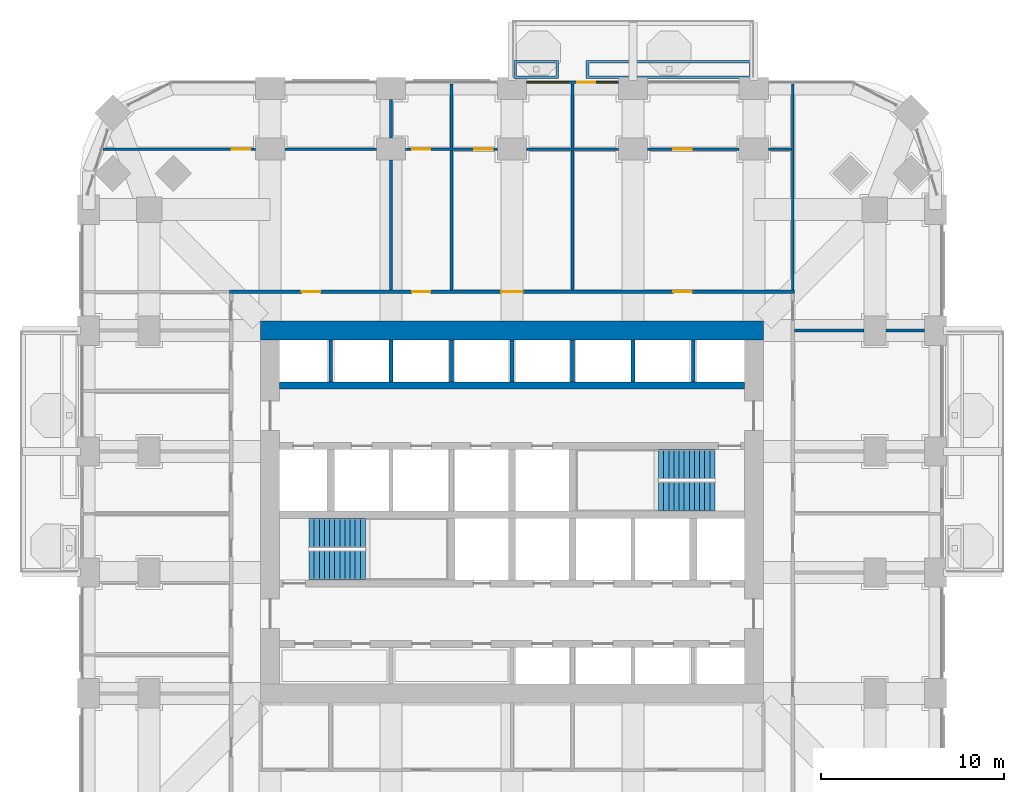
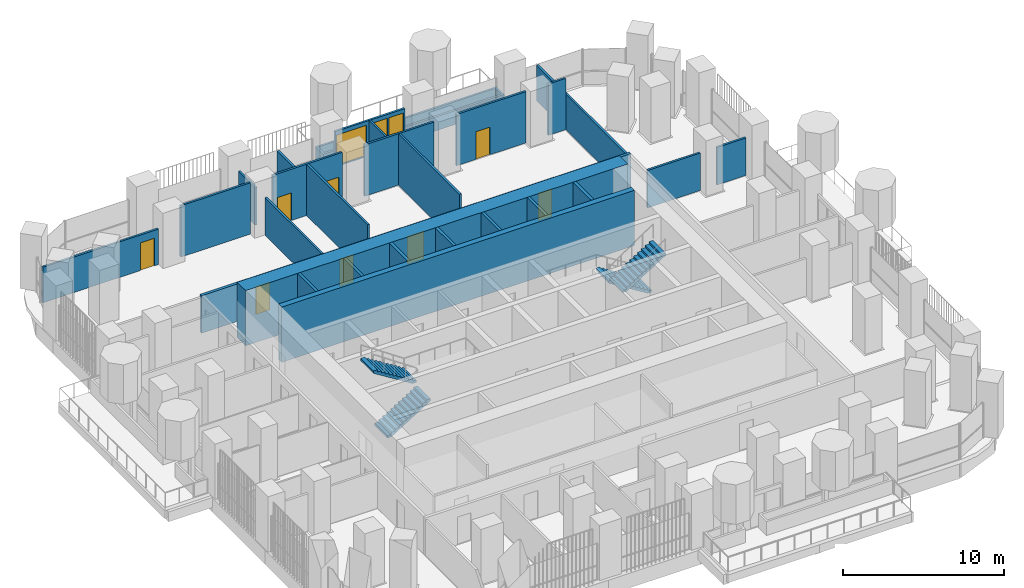
# One storey, part 16 of 21: 28 walls, 9 doors, 4 stair flights, 2 windows, 11 openings, 2 elements without a shape of their own.
"""IFC4 building model written with IfcOpenShell, lengths in metres."""

from ifc_helpers import new_model, si_unit, direction, frame, frame_2d, origin, place, context, subcontext, project, spatial, polyline, rectangle, outline, extrude, material, layer, layer_set, type_object, element, fill, aggregate, save


model = new_model("IFC4")

# Units and contexts
model_context = context("Model", 3, precision=1e-05, world=origin(), true_north=direction((0.0, 1.0)))
body_context = subcontext(model_context, "Body", "Model", "MODEL_VIEW")
ifc_project = project(units=[si_unit("LENGTHUNIT", "METRE"), si_unit("AREAUNIT", "SQUARE_METRE"), si_unit("VOLUMEUNIT", "CUBIC_METRE"), si_unit("PLANEANGLEUNIT", "RADIAN"), si_unit("MASSUNIT", "GRAM", prefix="KILO")], contexts=[model_context])

# Site, building, storey
site_placement = place(None, origin())
site = spatial("IfcSite", under=ifc_project, at=site_placement, CompositionType="ELEMENT")
building_placement = place(site_placement, origin())
building = spatial("IfcBuilding", under=site, at=building_placement, Name="Cobogo Forest Laboratory Tower", CompositionType="ELEMENT")
storey_placement = place(building_placement, frame((0.0, 0.0, 86.39990234375)))
storey = spatial("IfcBuildingStorey", under=building, at=storey_placement, Name="L19", CompositionType="ELEMENT", Elevation=86.39990234375)

# Walls
ifc_material_1 = material(Name="Concrete HA-50 (C50/60)", Category="concrete")
ifc_layer_1 = layer(ifc_material_1, 0.39990234375)
ifc_layer_set_1 = layer_set([ifc_layer_1], Name="CI400 core inner wall 400")
wall_type_1 = type_object("IfcWallType", Name="CI400 core inner wall 400", PredefinedType="SHEAR", material=ifc_layer_set_1)
wall_1_placement = place(storey_placement, frame((13.72509765625, 30.0, 0.0), z_axis=(0.0, 0.0, 1.0), x_axis=(1.0, 0.0, 0.0)))
element("IfcWall", 1, at=wall_1_placement, inside=storey, type_object=wall_type_1, Name="Core wall CI-30.0 L19", PredefinedType="SHEAR", context=body_context, shape_type="SweptSolid", body=[
    extrude(rectangle(XDim=25.349853515625, YDim=0.39990234375, at=frame_2d((12.6748046875, 0.0))), origin(), (0.0, 0.0, 1.0), 4.2001953125),
])
ifc_layer_2 = layer(ifc_material_1, 1.050048828125)
ifc_layer_set_2 = layer_set([ifc_layer_2], Name="CW1050 core outer wall 1050")
wall_type_2 = type_object("IfcWallType", Name="CW1050 core outer wall 1050", PredefinedType="SHEAR", material=ifc_layer_set_2)
wall_2_placement = place(storey_placement, frame((40.125, 33.0, 0.0), z_axis=(0.0, 0.0, 1.0), x_axis=(-1.0, 0.0, 0.0)))
element("IfcWall", 2, at=wall_2_placement, inside=storey, type_object=wall_type_2, Name="Core wall CO-N L19", PredefinedType="SHEAR", context=body_context, shape_type="SweptSolid", body=[
    extrude(rectangle(XDim=27.449951171875, YDim=1.050048828125, at=frame_2d((13.72509765625, 0.0))), origin(), (0.0, 0.0, 1.0), 4.2001953125),
])

# Wall, openings, door, windows
ifc_material_2 = material(Name="Aluminium framed glazed screen", Category="aluminium")
ifc_layer_3 = layer(ifc_material_2, 0.14990234375)
ifc_layer_set_3 = layer_set([ifc_layer_3], Name="GS1 glazed door screen 150")
wall_type_3 = type_object("IfcWallType", Name="GS1 glazed door screen 150", PredefinedType="SOLIDWALL", material=ifc_layer_set_3)
wall_3_placement = place(storey_placement, frame((32.199951171875, 46.550048828125, 0.0), z_axis=(0.0, 0.0, 1.0), x_axis=(-1.0, 0.0, 0.0)))
wall_3 = element("IfcWall", 3, at=wall_3_placement, inside=storey, type_object=wall_type_3, Name="Door screen BAL-N1 L19", PredefinedType="SOLIDWALL", context=body_context, shape_type="SweptSolid", body=[
    extrude(rectangle(XDim=5.0, YDim=0.14990234375, at=frame_2d((2.5, 0.0))), origin(), (0.0, 0.0, 1.0), 2.7001953125),
])
opening_1_placement = place(wall_3_placement, frame((1.25, 0.0, 0.0)))
opening_1 = element("IfcOpeningElement", 4, at=opening_1_placement, cuts=wall_3, Name="Opening L19-D46", PredefinedType="OPENING", context=body_context, shape_type="SweptSolid", body=[
    extrude(rectangle(XDim=1.0, YDim=2.39990234375, at=frame_2d((0.5, 1.199951171875))), frame((0.0, 0.0849609375, 0.0), z_axis=(0.0, -1.0, 0.0), x_axis=(1.0, 0.0, 0.0)), (0.0, 0.0, 1.0), 0.169921875),
])
opening_2_placement = place(wall_3_placement, frame((0.10009765625, 0.0, 0.10009765625)))
opening_2 = element("IfcOpeningElement", 5, at=opening_2_placement, cuts=wall_3, Name="Opening L19-W08", PredefinedType="OPENING", context=body_context, shape_type="SweptSolid", body=[
    extrude(rectangle(XDim=1.050048828125, YDim=2.300048828125, at=frame_2d((0.52490234375, 1.14990234375))), frame((0.0, 0.0849609375, 0.0), z_axis=(0.0, -1.0, 0.0), x_axis=(1.0, 0.0, 0.0)), (0.0, 0.0, 1.0), 0.169921875),
])
opening_3_placement = place(wall_3_placement, frame((2.75, 0.0, 0.10009765625)))
opening_3 = element("IfcOpeningElement", 6, at=opening_3_placement, cuts=wall_3, Name="Opening L19-W07", PredefinedType="OPENING", context=body_context, shape_type="SweptSolid", body=[
    extrude(rectangle(XDim=2.14990234375, YDim=2.300048828125, at=frame_2d((1.074951171875, 1.14990234375))), frame((0.0, 0.0849609375, 0.0), z_axis=(0.0, -1.0, 0.0), x_axis=(1.0, 0.0, 0.0)), (0.0, 0.0, 1.0), 0.169921875),
])
ifc_material_3 = material(Name="Aluminium glazed door", Category="aluminium")
door_type_1 = type_object("IfcDoorType", Name="DB1 balcony door 1000 glazed", OperationType="SINGLE_SWING_LEFT", PredefinedType="DOOR", material=ifc_material_3)
door_1_placement = place(opening_1_placement, origin())
door_1 = element("IfcDoor", 7, at=door_1_placement, inside=storey, type_object=door_type_1, Name="Door L19-BAL-N1", OperationType="SINGLE_SWING_LEFT", OverallHeight=2.39990234375, OverallWidth=1.0, PredefinedType="DOOR", context=body_context, shape_type="SweptSolid", body=[
    extrude(rectangle(XDim=1.0, YDim=2.39990234375, at=frame_2d((0.5, 1.199951171875))), frame((0.0, 0.02490234375, 0.0), z_axis=(0.0, -1.0, 0.0), x_axis=(1.0, 0.0, 0.0)), (0.0, 0.0, 1.0), 0.050048828125),
])
fill(opening_1, door_1)
ifc_material_4 = material(Name="Aluminium framed glazing", Category="aluminium")
window_type_1 = type_object("IfcWindowType", Name="WG13 fixed glazed light 2150x2300", PartitioningType="SINGLE_PANEL", PredefinedType="WINDOW", material=ifc_material_4)
window_1_placement = place(opening_3_placement, origin())
window_1 = element("IfcWindow", 8, at=window_1_placement, inside=storey, type_object=window_type_1, Name="Window L19-BAL-N1-2", OverallHeight=2.300048828125, OverallWidth=2.14990234375, PartitioningType="SINGLE_PANEL", PredefinedType="WINDOW", context=body_context, shape_type="SweptSolid", body=[
    extrude(rectangle(XDim=2.14990234375, YDim=2.300048828125, at=frame_2d((1.074951171875, 1.14990234375))), frame((0.0, 0.030029296875, 0.0), z_axis=(0.0, -1.0, 0.0), x_axis=(1.0, 0.0, 0.0)), (0.0, 0.0, 1.0), 0.06005859375),
])
fill(opening_3, window_1)
window_type_2 = type_object("IfcWindowType", Name="WG14 fixed glazed light 1050x2300", PartitioningType="SINGLE_PANEL", PredefinedType="WINDOW", material=ifc_material_4)
window_2_placement = place(opening_2_placement, origin())
window_2 = element("IfcWindow", 9, at=window_2_placement, inside=storey, type_object=window_type_2, Name="Window L19-BAL-N1-1", OverallHeight=2.300048828125, OverallWidth=1.050048828125, PartitioningType="SINGLE_PANEL", PredefinedType="WINDOW", context=body_context, shape_type="SweptSolid", body=[
    extrude(rectangle(XDim=1.050048828125, YDim=2.300048828125, at=frame_2d((0.52490234375, 1.14990234375))), frame((0.0, 0.030029296875, 0.0), z_axis=(0.0, -1.0, 0.0), x_axis=(1.0, 0.0, 0.0)), (0.0, 0.0, 1.0), 0.06005859375),
])
fill(opening_2, window_2)

# Walls
ifc_material_5 = material(Name="Gypsum board on steel studs", Category="steel")
ifc_layer_4 = layer(ifc_material_5, 0.14990234375)
ifc_layer_set_4 = layer_set([ifc_layer_4], Name="PT1 laboratory partition 150")
wall_type_4 = type_object("IfcWallType", Name="PT1 laboratory partition 150", PredefinedType="PARTITIONING", material=ifc_layer_set_4)
wall_4_placement = place(storey_placement, frame((41.72509765625, 46.469970703125, 0.0), z_axis=(0.0, 0.0, 1.0), x_axis=(0.0, -1.0, 0.0)))
element("IfcWall", 10, at=wall_4_placement, inside=storey, type_object=wall_type_4, Name="Partition PW-NE L19", PredefinedType="PARTITIONING", context=body_context, shape_type="SweptSolid", body=[
    extrude(rectangle(XDim=11.244873046875, YDim=0.14990234375, at=frame_2d((5.62255859375, 0.0))), origin(), (0.0, 0.0, 1.0), 2.7001953125),
])
wall_5_placement = place(storey_placement, frame((48.89990234375, 33.0, 0.0), z_axis=(0.0, 0.0, 1.0), x_axis=(-1.0, 0.0, 0.0)))
element("IfcWall", 11, at=wall_5_placement, inside=storey, type_object=wall_type_4, Name="Partition CUT-E33-1 L19", PredefinedType="PARTITIONING", context=body_context, shape_type="SweptSolid", body=[
    extrude(rectangle(XDim=2.099853515625, YDim=0.14990234375, at=frame_2d((1.0498046875, 0.0))), origin(), (0.0, 0.0, 1.0), 2.85009765625),
])
wall_6_placement = place(storey_placement, frame((45.60009765625, 33.0, 0.0), z_axis=(0.0, 0.0, 1.0), x_axis=(-1.0, 0.0, 0.0)))
element("IfcWall", 12, at=wall_6_placement, inside=storey, type_object=wall_type_4, Name="Partition CUT-E33-2 L19", PredefinedType="PARTITIONING", context=body_context, shape_type="SweptSolid", body=[
    extrude(rectangle(XDim=3.775146484375, YDim=0.14990234375, at=frame_2d((1.8876953125, 0.0))), origin(), (0.0, 0.0, 1.0), 2.85009765625),
])
wall_7_placement = place(storey_placement, frame((41.64990234375, 42.89990234375, 0.0), z_axis=(0.0, 0.0, 1.0), x_axis=(-1.0, 0.0, 0.0)))
element("IfcWall", 13, at=wall_7_placement, inside=storey, type_object=wall_type_4, Name="Partition STRIP-N-1 L19", PredefinedType="PARTITIONING", context=body_context, shape_type="SweptSolid", body=[
    extrude(rectangle(XDim=1.25, YDim=0.14990234375, at=frame_2d((0.625, 0.0))), origin(), (0.0, 0.0, 1.0), 3.900146484375),
])

# Wall, opening, door
wall_8_placement = place(storey_placement, frame((38.800048828125, 42.89990234375, 0.0), z_axis=(0.0, 0.0, 1.0), x_axis=(-1.0, 0.0, 0.0)))
wall_8 = element("IfcWall", 14, at=wall_8_placement, inside=storey, type_object=wall_type_4, Name="Partition STRIP-N-2 L19", PredefinedType="PARTITIONING", context=body_context, shape_type="SweptSolid", body=[
    extrude(rectangle(XDim=5.0, YDim=0.14990234375, at=frame_2d((2.5, 0.0))), origin(), (0.0, 0.0, 1.0), 3.900146484375),
])
opening_4_placement = place(wall_8_placement, frame((2.58740234375, 0.0, 0.0)))
opening_4 = element("IfcOpeningElement", 15, at=opening_4_placement, cuts=wall_8, Name="Opening L19-D45", PredefinedType="OPENING", context=body_context, shape_type="SweptSolid", body=[
    extrude(rectangle(XDim=1.0, YDim=2.10009765625, at=frame_2d((0.5, 1.050048828125))), frame((0.0, 0.0849609375, 0.0), z_axis=(0.0, -1.0, 0.0), x_axis=(1.0, 0.0, 0.0)), (0.0, 0.0, 1.0), 0.169921875),
])
ifc_material_6 = material(Name="Timber fire door", Category="wood")
door_type_2 = type_object("IfcDoorType", Name="FD2 fire door 1000 EI2 30", OperationType="SINGLE_SWING_LEFT", PredefinedType="DOOR", material=ifc_material_6)
door_2_placement = place(opening_4_placement, origin())
door_2 = element("IfcDoor", 16, at=door_2_placement, inside=storey, type_object=door_type_2, Name="Door L19-N4W", OperationType="SINGLE_SWING_RIGHT", OverallHeight=2.10009765625, OverallWidth=1.0, PredefinedType="DOOR", context=body_context, shape_type="SweptSolid", body=[
    extrude(rectangle(XDim=1.0, YDim=2.10009765625, at=frame_2d((0.5, 1.050048828125))), frame((0.0, 0.02490234375, 0.0), z_axis=(0.0, -1.0, 0.0), x_axis=(1.0, 0.0, 0.0)), (0.0, 0.0, 1.0), 0.050048828125),
])
fill(opening_4, door_2)

# Wall
wall_9_placement = place(storey_placement, frame((32.199951171875, 42.89990234375, 0.0), z_axis=(0.0, 0.0, 1.0), x_axis=(-1.0, 0.0, 0.0)))
element("IfcWall", 17, at=wall_9_placement, inside=storey, type_object=wall_type_4, Name="Partition STRIP-N-3 L19", PredefinedType="PARTITIONING", context=body_context, shape_type="SweptSolid", body=[
    extrude(rectangle(XDim=5.0, YDim=0.14990234375, at=frame_2d((2.5, 0.0))), origin(), (0.0, 0.0, 1.0), 3.900146484375),
])

# Wall, openings, doors
wall_10_placement = place(storey_placement, frame((25.60009765625, 42.89990234375, 0.0), z_axis=(0.0, 0.0, 1.0), x_axis=(-1.0, 0.0, 0.0)))
wall_10 = element("IfcWall", 18, at=wall_10_placement, inside=storey, type_object=wall_type_4, Name="Partition STRIP-N-4 L19", PredefinedType="PARTITIONING", context=body_context, shape_type="SweptSolid", body=[
    extrude(rectangle(XDim=5.0, YDim=0.14990234375, at=frame_2d((2.5, 0.0))), origin(), (0.0, 0.0, 1.0), 3.900146484375),
])
opening_5_placement = place(wall_10_placement, frame((3.64990234375, 0.0, 0.0)))
opening_5 = element("IfcOpeningElement", 19, at=opening_5_placement, cuts=wall_10, Name="Opening L19-D43", PredefinedType="OPENING", context=body_context, shape_type="SweptSolid", body=[
    extrude(rectangle(XDim=1.0, YDim=2.10009765625, at=frame_2d((0.5, 1.050048828125))), frame((0.0, 0.0849609375, 0.0), z_axis=(0.0, -1.0, 0.0), x_axis=(1.0, 0.0, 0.0)), (0.0, 0.0, 1.0), 0.169921875),
])
opening_6_placement = place(wall_10_placement, frame((0.25, 0.0, 0.0)))
opening_6 = element("IfcOpeningElement", 20, at=opening_6_placement, cuts=wall_10, Name="Opening L19-D44", PredefinedType="OPENING", context=body_context, shape_type="SweptSolid", body=[
    extrude(rectangle(XDim=1.0, YDim=2.10009765625, at=frame_2d((0.5, 1.050048828125))), frame((0.0, 0.0849609375, 0.0), z_axis=(0.0, -1.0, 0.0), x_axis=(1.0, 0.0, 0.0)), (0.0, 0.0, 1.0), 0.169921875),
])
door_3_placement = place(opening_5_placement, origin())
door_3 = element("IfcDoor", 21, at=door_3_placement, inside=storey, type_object=door_type_2, Name="Door L19-N2W", OperationType="SINGLE_SWING_RIGHT", OverallHeight=2.10009765625, OverallWidth=1.0, PredefinedType="DOOR", context=body_context, shape_type="SweptSolid", body=[
    extrude(rectangle(XDim=1.0, YDim=2.10009765625, at=frame_2d((0.5, 1.050048828125))), frame((0.0, 0.02490234375, 0.0), z_axis=(0.0, -1.0, 0.0), x_axis=(1.0, 0.0, 0.0)), (0.0, 0.0, 1.0), 0.050048828125),
])
fill(opening_5, door_3)
door_4_placement = place(opening_6_placement, origin())
door_4 = element("IfcDoor", 22, at=door_4_placement, inside=storey, type_object=door_type_2, Name="Door L19-N3W", OperationType="SINGLE_SWING_LEFT", OverallHeight=2.10009765625, OverallWidth=1.0, PredefinedType="DOOR", context=body_context, shape_type="SweptSolid", body=[
    extrude(rectangle(XDim=1.0, YDim=2.10009765625, at=frame_2d((0.5, 1.050048828125))), frame((0.0, 0.02490234375, 0.0), z_axis=(0.0, -1.0, 0.0), x_axis=(1.0, 0.0, 0.0)), (0.0, 0.0, 1.0), 0.050048828125),
])
fill(opening_6, door_4)

# Wall
wall_11_placement = place(storey_placement, frame((19.0, 42.89990234375, 0.0), z_axis=(0.0, 0.0, 1.0), x_axis=(-1.0, 0.0, 0.0)))
element("IfcWall", 23, at=wall_11_placement, inside=storey, type_object=wall_type_4, Name="Partition STRIP-N-5 L19", PredefinedType="PARTITIONING", context=body_context, shape_type="SweptSolid", body=[
    extrude(rectangle(XDim=5.0, YDim=0.14990234375, at=frame_2d((2.5, 0.0))), origin(), (0.0, 0.0, 1.0), 3.900146484375),
])

# Wall, opening, door
wall_12_placement = place(storey_placement, frame((12.39990234375, 42.89990234375, 0.0), z_axis=(0.0, 0.0, 1.0), x_axis=(-1.0, 0.0, 0.0)))
wall_12 = element("IfcWall", 24, at=wall_12_placement, inside=storey, type_object=wall_type_4, Name="Partition STRIP-N-6 L19", PredefinedType="PARTITIONING", context=body_context, shape_type="SweptSolid", body=[
    extrude(rectangle(XDim=8.323974609375, YDim=0.14990234375, at=frame_2d((4.162109375, 0.0))), origin(), (0.0, 0.0, 1.0), 2.7001953125),
])
opening_7_placement = place(wall_12_placement, frame((0.2919921875, 0.0, 0.0)))
opening_7 = element("IfcOpeningElement", 25, at=opening_7_placement, cuts=wall_12, Name="Opening L19-D42", PredefinedType="OPENING", context=body_context, shape_type="SweptSolid", body=[
    extrude(rectangle(XDim=1.0, YDim=2.10009765625, at=frame_2d((0.5, 1.050048828125))), frame((0.0, 0.0849609375, 0.0), z_axis=(0.0, -1.0, 0.0), x_axis=(1.0, 0.0, 0.0)), (0.0, 0.0, 1.0), 0.169921875),
])
door_5_placement = place(opening_7_placement, origin())
door_5 = element("IfcDoor", 26, at=door_5_placement, inside=storey, type_object=door_type_2, Name="Door L19-N1W", OperationType="SINGLE_SWING_LEFT", OverallHeight=2.10009765625, OverallWidth=1.0, PredefinedType="DOOR", context=body_context, shape_type="SweptSolid", body=[
    extrude(rectangle(XDim=1.0, YDim=2.10009765625, at=frame_2d((0.5, 1.050048828125))), frame((0.0, 0.02490234375, 0.0), z_axis=(0.0, -1.0, 0.0), x_axis=(1.0, 0.0, 0.0)), (0.0, 0.0, 1.0), 0.050048828125),
])
fill(opening_7, door_5)

# Walls
wall_13_placement = place(storey_placement, frame((19.800048828125, 45.60009765625, 0.0), z_axis=(0.0, 0.0, 1.0), x_axis=(0.0, -1.0, 0.0)))
element("IfcWall", 27, at=wall_13_placement, inside=storey, type_object=wall_type_4, Name="Partition CUT-N19.8a-1 L19", PredefinedType="PARTITIONING", context=body_context, shape_type="SweptSolid", body=[
    extrude(rectangle(XDim=2.10009765625, YDim=0.14990234375, at=frame_2d((1.050048828125, 0.0))), origin(), (0.0, 0.0, 1.0), 2.85009765625),
])
wall_14_placement = place(storey_placement, frame((19.800048828125, 42.300048828125, 0.0), z_axis=(0.0, 0.0, 1.0), x_axis=(0.0, -1.0, 0.0)))
element("IfcWall", 28, at=wall_14_placement, inside=storey, type_object=wall_type_4, Name="Partition CUT-N19.8b-1 L19", PredefinedType="PARTITIONING", context=body_context, shape_type="SweptSolid", body=[
    extrude(rectangle(XDim=7.074951171875, YDim=0.14990234375, at=frame_2d((3.53759765625, 0.0))), origin(), (0.0, 0.0, 1.0), 2.85009765625),
])
wall_15_placement = place(storey_placement, frame((23.10009765625, 46.469970703125, 0.0), z_axis=(0.0, 0.0, 1.0), x_axis=(0.0, -1.0, 0.0)))
element("IfcWall", 29, at=wall_15_placement, inside=storey, type_object=wall_type_4, Name="Partition CUT-N23.1a-1 L19", PredefinedType="PARTITIONING", context=body_context, shape_type="SweptSolid", body=[
    extrude(rectangle(XDim=3.494873046875, YDim=0.14990234375, at=frame_2d((1.74755859375, 0.0))), origin(), (0.0, 0.0, 1.0), 2.7001953125),
])
wall_16_placement = place(storey_placement, frame((23.10009765625, 42.824951171875, 0.0), z_axis=(0.0, 0.0, 1.0), x_axis=(0.0, -1.0, 0.0)))
element("IfcWall", 30, at=wall_16_placement, inside=storey, type_object=wall_type_4, Name="Partition CUT-N23.1b-1 L19", PredefinedType="PARTITIONING", context=body_context, shape_type="SweptSolid", body=[
    extrude(rectangle(XDim=7.599853515625, YDim=0.14990234375, at=frame_2d((3.7998046875, 0.0))), origin(), (0.0, 0.0, 1.0), 3.900146484375),
])
wall_17_placement = place(storey_placement, frame((29.699951171875, 46.469970703125, 0.0), z_axis=(0.0, 0.0, 1.0), x_axis=(0.0, -1.0, 0.0)))
element("IfcWall", 31, at=wall_17_placement, inside=storey, type_object=wall_type_4, Name="Partition CUT-N29.7a-1 L19", PredefinedType="PARTITIONING", context=body_context, shape_type="SweptSolid", body=[
    extrude(rectangle(XDim=3.494873046875, YDim=0.14990234375, at=frame_2d((1.74755859375, 0.0))), origin(), (0.0, 0.0, 1.0), 2.7001953125),
])
wall_18_placement = place(storey_placement, frame((29.699951171875, 42.824951171875, 0.0), z_axis=(0.0, 0.0, 1.0), x_axis=(0.0, -1.0, 0.0)))
element("IfcWall", 32, at=wall_18_placement, inside=storey, type_object=wall_type_4, Name="Partition CUT-N29.7b-1 L19", PredefinedType="PARTITIONING", context=body_context, shape_type="SweptSolid", body=[
    extrude(rectangle(XDim=7.599853515625, YDim=0.14990234375, at=frame_2d((3.7998046875, 0.0))), origin(), (0.0, 0.0, 1.0), 3.900146484375),
])

# Wall, openings, doors
ifc_layer_5 = layer(ifc_material_5, 0.199951171875)
ifc_layer_set_5 = layer_set([ifc_layer_5], Name="PT2 fire-rated corridor partition 200")
wall_type_5 = type_object("IfcWallType", Name="PT2 fire-rated corridor partition 200", PredefinedType="PARTITIONING", material=ifc_layer_set_5)
wall_19_placement = place(storey_placement, frame((10.97509765625, 35.125, 0.0), z_axis=(0.0, 0.0, 1.0), x_axis=(1.0, 0.0, 0.0)))
wall_19 = element("IfcWall", 33, at=wall_19_placement, inside=storey, type_object=wall_type_5, Name="Partition CORR-N L19", PredefinedType="PARTITIONING", context=body_context, shape_type="SweptSolid", body=[
    extrude(rectangle(XDim=30.849853515625, YDim=0.199951171875, at=frame_2d((15.4248046875, 0.0))), origin(), (0.0, 0.0, 1.0), 2.85009765625),
])
opening_8_placement = place(wall_19_placement, frame((3.96240234375, 0.0, 0.0)))
opening_8 = element("IfcOpeningElement", 34, at=opening_8_placement, cuts=wall_19, Name="Opening L19-D38", PredefinedType="OPENING", context=body_context, shape_type="SweptSolid", body=[
    extrude(rectangle(XDim=1.0, YDim=2.10009765625, at=frame_2d((0.5, 1.050048828125))), frame((0.0, 0.10986328125, 0.0), z_axis=(0.0, -1.0, 0.0), x_axis=(1.0, 0.0, 0.0)), (0.0, 0.0, 1.0), 0.219970703125),
])
opening_9_placement = place(wall_19_placement, frame((9.97509765625, 0.0, 0.0)))
opening_9 = element("IfcOpeningElement", 35, at=opening_9_placement, cuts=wall_19, Name="Opening L19-D39", PredefinedType="OPENING", context=body_context, shape_type="SweptSolid", body=[
    extrude(rectangle(XDim=1.0, YDim=2.10009765625, at=frame_2d((0.5, 1.050048828125))), frame((0.0, 0.10986328125, 0.0), z_axis=(0.0, -1.0, 0.0), x_axis=(1.0, 0.0, 0.0)), (0.0, 0.0, 1.0), 0.219970703125),
])
opening_10_placement = place(wall_19_placement, frame((14.824951171875, 0.0, 0.0)))
opening_10 = element("IfcOpeningElement", 36, at=opening_10_placement, cuts=wall_19, Name="Opening L19-D40", PredefinedType="OPENING", context=body_context, shape_type="SweptSolid", body=[
    extrude(rectangle(XDim=1.199951171875, YDim=2.10009765625, at=frame_2d((0.60009765625, 1.050048828125))), frame((0.0, 0.10986328125, 0.0), z_axis=(0.0, -1.0, 0.0), x_axis=(1.0, 0.0, 0.0)), (0.0, 0.0, 1.0), 0.219970703125),
])
opening_11_placement = place(wall_19_placement, frame((24.237548828125, 0.0, 0.0)))
opening_11 = element("IfcOpeningElement", 37, at=opening_11_placement, cuts=wall_19, Name="Opening L19-D41", PredefinedType="OPENING", context=body_context, shape_type="SweptSolid", body=[
    extrude(rectangle(XDim=1.0, YDim=2.10009765625, at=frame_2d((0.5, 1.050048828125))), frame((0.0, 0.10986328125, 0.0), z_axis=(0.0, -1.0, 0.0), x_axis=(1.0, 0.0, 0.0)), (0.0, 0.0, 1.0), 0.219970703125),
])
ifc_material_7 = material(Name="Timber door", Category="wood")
door_type_3 = type_object("IfcDoorType", Name="D2 laboratory door 1200 unequal pair", OperationType="DOUBLE_DOOR_SINGLE_SWING", PredefinedType="DOOR", material=ifc_material_7)
door_6_placement = place(opening_10_placement, origin())
door_6 = element("IfcDoor", 38, at=door_6_placement, inside=storey, type_object=door_type_3, Name="Door L19-N3", OperationType="DOUBLE_DOOR_SINGLE_SWING", OverallHeight=2.10009765625, OverallWidth=1.199951171875, PredefinedType="DOOR", context=body_context, shape_type="SweptSolid", body=[
    extrude(rectangle(XDim=1.199951171875, YDim=2.10009765625, at=frame_2d((0.60009765625, 1.050048828125))), frame((0.0, 0.02490234375, 0.0), z_axis=(0.0, -1.0, 0.0), x_axis=(1.0, 0.0, 0.0)), (0.0, 0.0, 1.0), 0.050048828125),
])
fill(opening_10, door_6)
ifc_material_8 = material(Name="Steel fire door", Category="steel")
door_type_4 = type_object("IfcDoorType", Name="FD1 fire door 1000 EI2 60", OperationType="SINGLE_SWING_LEFT", PredefinedType="DOOR", material=ifc_material_8)
door_7_placement = place(opening_8_placement, origin())
door_7 = element("IfcDoor", 39, at=door_7_placement, inside=storey, type_object=door_type_4, Name="Door L19-N1", OperationType="SINGLE_SWING_LEFT", OverallHeight=2.10009765625, OverallWidth=1.0, PredefinedType="DOOR", context=body_context, shape_type="SweptSolid", body=[
    extrude(rectangle(XDim=1.0, YDim=2.10009765625, at=frame_2d((0.5, 1.050048828125))), frame((0.0, 0.02490234375, 0.0), z_axis=(0.0, -1.0, 0.0), x_axis=(1.0, 0.0, 0.0)), (0.0, 0.0, 1.0), 0.050048828125),
])
fill(opening_8, door_7)
door_8_placement = place(opening_9_placement, origin())
door_8 = element("IfcDoor", 40, at=door_8_placement, inside=storey, type_object=door_type_4, Name="Door L19-N2", OperationType="SINGLE_SWING_LEFT", OverallHeight=2.10009765625, OverallWidth=1.0, PredefinedType="DOOR", context=body_context, shape_type="SweptSolid", body=[
    extrude(rectangle(XDim=1.0, YDim=2.10009765625, at=frame_2d((0.5, 1.050048828125))), frame((0.0, 0.02490234375, 0.0), z_axis=(0.0, -1.0, 0.0), x_axis=(1.0, 0.0, 0.0)), (0.0, 0.0, 1.0), 0.050048828125),
])
fill(opening_9, door_8)
door_9_placement = place(opening_11_placement, origin())
door_9 = element("IfcDoor", 41, at=door_9_placement, inside=storey, type_object=door_type_2, Name="Door L19-N4", OperationType="SINGLE_SWING_RIGHT", OverallHeight=2.10009765625, OverallWidth=1.0, PredefinedType="DOOR", context=body_context, shape_type="SweptSolid", body=[
    extrude(rectangle(XDim=1.0, YDim=2.10009765625, at=frame_2d((0.5, 1.050048828125))), frame((0.0, 0.02490234375, 0.0), z_axis=(0.0, -1.0, 0.0), x_axis=(1.0, 0.0, 0.0)), (0.0, 0.0, 1.0), 0.050048828125),
])
fill(opening_11, door_9)

# Walls
ifc_material_9 = material(Name="Concrete HA-40 (C40/50)", Category="concrete")
ifc_layer_6 = layer(ifc_material_9, 0.14990234375)
ifc_layer_set_6 = layer_set([ifc_layer_6], Name="Planter box 1000x1050")
wall_type_6 = type_object("IfcWallType", Name="Planter box 1000x1050", PredefinedType="USERDEFINED", material=ifc_layer_set_6)
wall_20_placement = place(storey_placement, origin())
element("IfcWall", 42, at=wall_20_placement, inside=storey, type_object=wall_type_6, Name="Planter BAL-N1-1 L19", ObjectType="PLANTER", PredefinedType="USERDEFINED", context=body_context, shape_type="SweptSolid", body=[
    extrude(outline(polyline([(26.5, 46.75), (28.949951171875, 46.75), (28.949951171875, 47.75), (26.5, 47.75), (26.5, 46.75)]), holes=[polyline([(26.64990234375, 46.89990234375), (28.800048828125, 46.89990234375), (28.800048828125, 47.60009765625), (26.64990234375, 47.60009765625), (26.64990234375, 46.89990234375)])]), origin(), (0.0, 0.0, 1.0), 1.050048828125),
])
wall_21_placement = place(storey_placement, origin())
element("IfcWall", 43, at=wall_21_placement, inside=storey, type_object=wall_type_6, Name="Planter BAL-N1-2 L19", ObjectType="PLANTER", PredefinedType="USERDEFINED", context=body_context, shape_type="SweptSolid", body=[
    extrude(outline(polyline([(30.449951171875, 46.75), (39.5, 46.75), (39.5, 47.75), (30.449951171875, 47.75), (30.449951171875, 46.75)]), holes=[polyline([(30.60009765625, 46.89990234375), (39.35009765625, 46.89990234375), (39.35009765625, 47.60009765625), (30.60009765625, 47.60009765625), (30.60009765625, 46.89990234375)])]), origin(), (0.0, 0.0, 1.0), 1.050048828125),
])
ifc_material_10 = material(Name="Concrete block", Category="concrete")
ifc_layer_7 = layer(ifc_material_10, 0.199951171875)
ifc_layer_set_7 = layer_set([ifc_layer_7], Name="SW200 lift shaft separator 200")
wall_type_7 = type_object("IfcWallType", Name="SW200 lift shaft separator 200", PredefinedType="PARTITIONING", material=ifc_layer_set_7)
for number, where, z_axis, x_axis, name in (
    (44, (16.5, 30.199951171875, 0.0), (0.0, 0.0, 1.0), (0.0, 1.0, 0.0), "Core wall SEP-N1 L19"),
    (45, (19.800048828125, 30.199951171875, 0.0), (0.0, 0.0, 1.0), (0.0, 1.0, 0.0), "Core wall SEP-N2 L19"),
    (46, (23.10009765625, 30.199951171875, 0.0), (0.0, 0.0, 1.0), (0.0, 1.0, 0.0), "Core wall SEP-N3 L19"),
    (47, (26.39990234375, 30.199951171875, 0.0), (0.0, 0.0, 1.0), (0.0, 1.0, 0.0), "Core wall SEP-N4 L19"),
    (48, (29.699951171875, 30.199951171875, 0.0), (0.0, 0.0, 1.0), (0.0, 1.0, 0.0), "Core wall SEP-N5 L19"),
    (49, (33.0, 30.199951171875, 0.0), (0.0, 0.0, 1.0), (0.0, 1.0, 0.0), "Core wall SEP-N6 L19"),
    (50, (36.300048828125, 30.199951171875, 0.0), (0.0, 0.0, 1.0), (0.0, 1.0, 0.0), "Core wall SEP-N7 L19"),
):
    element("IfcWall", number, at=place(storey_placement, frame(where, z_axis=z_axis, x_axis=x_axis)), inside=storey, type_object=wall_type_7, Name=name, PredefinedType="PARTITIONING", context=body_context, shape_type="SweptSolid", body=[
        extrude(rectangle(XDim=2.275146484375, YDim=0.199951171875, at=frame_2d((1.1376953125, 0.0))), origin(), (0.0, 0.0, 1.0), 4.2001953125),
    ])

# Stair, stair flights
ifc_material_11 = material(Name="Precast concrete HA-40 (C40/50)", Category="concrete")
stair_type = type_object("IfcStairType", Name="ST24 exit stair 24 risers", PredefinedType="HALF_TURN_STAIR", material=ifc_material_11)
stair_1_placement = place(storey_placement, origin())
stair_1 = element("IfcStair", 51, at=stair_1_placement, inside=storey, type_object=stair_type, Name="Stair 1 L19 to L20", PredefinedType="HALF_TURN_STAIR")
stair_flight_type = type_object("IfcStairFlightType", Name="ST stair flight 280 going", PredefinedType="STRAIGHT", material=ifc_material_11)
stair_flight_1_placement = place(storey_placement, frame((15.324951171875, 20.199951171875, 0.0), z_axis=(0.0, 0.0, 1.0), x_axis=(1.0, 0.0, 0.0)))
stair_flight_1 = element("IfcStairFlight", 52, at=stair_flight_1_placement, type_object=stair_flight_type, Name="ST1 flight 1", NumberOfRisers=12, NumberOfTreads=11, PredefinedType="STRAIGHT", RiserHeight=0.175, TreadLength=0.28, context=body_context, shape_type="SweptSolid", body=[
    extrude(outline(polyline([(0.0, 0.0), (0.0, 0.175048828125), (0.280029296875, 0.175048828125), (0.280029296875, 0.35009765625), (0.56005859375, 0.35009765625), (0.56005859375, 0.52490234375), (0.840087890625, 0.52490234375), (0.840087890625, 0.699951171875), (1.1201171875, 0.699951171875), (1.1201171875, 0.875), (1.39990234375, 0.875), (1.39990234375, 1.050048828125), (1.679931640625, 1.050048828125), (1.679931640625, 1.22509765625), (1.9599609375, 1.22509765625), (1.9599609375, 1.39990234375), (2.239990234375, 1.39990234375), (2.239990234375, 1.574951171875), (2.52001953125, 1.574951171875), (2.52001953125, 1.75), (2.800048828125, 1.75), (2.800048828125, 1.925048828125), (3.080078125, 1.925048828125), (3.080078125, 2.10009765625), (3.080078125, 1.748291015625), (0.28271484375, 0.0), (0.0, 0.0)])), frame((0.0, 0.800048828125, 0.0), z_axis=(0.0, -1.0, 0.0), x_axis=(1.0, 0.0, 0.0)), (0.0, 0.0, 1.0), 1.60009765625),
])
stair_flight_2_placement = place(storey_placement, frame((18.405029296875, 21.949951171875, 2.10009765625), z_axis=(0.0, 0.0, 1.0), x_axis=(-1.0, 0.0, 0.0)))
stair_flight_2 = element("IfcStairFlight", 53, at=stair_flight_2_placement, type_object=stair_flight_type, Name="ST1 flight 2", NumberOfRisers=12, NumberOfTreads=11, PredefinedType="STRAIGHT", RiserHeight=0.175, TreadLength=0.28, context=body_context, shape_type="SweptSolid", body=[
    extrude(outline(polyline([(0.0, 0.0), (0.0, 0.175048828125), (0.280029296875, 0.175048828125), (0.280029296875, 0.35009765625), (0.56005859375, 0.35009765625), (0.56005859375, 0.52490234375), (0.840087890625, 0.52490234375), (0.840087890625, 0.699951171875), (1.1201171875, 0.699951171875), (1.1201171875, 0.875), (1.39990234375, 0.875), (1.39990234375, 1.050048828125), (1.679931640625, 1.050048828125), (1.679931640625, 1.22509765625), (1.9599609375, 1.22509765625), (1.9599609375, 1.39990234375), (2.239990234375, 1.39990234375), (2.239990234375, 1.574951171875), (2.52001953125, 1.574951171875), (2.52001953125, 1.75), (2.800048828125, 1.75), (2.800048828125, 1.925048828125), (3.080078125, 1.925048828125), (3.080078125, 2.10009765625), (3.080078125, 1.748291015625), (0.28271484375, 0.0), (0.0, 0.0)])), frame((0.0, 0.800048828125, 0.0), z_axis=(0.0, -1.0, 0.0), x_axis=(1.0, 0.0, 0.0)), (0.0, 0.0, 1.0), 1.60009765625),
])
aggregate(stair_1, [stair_flight_1, stair_flight_2])

stair_2_placement = place(storey_placement, origin())
stair_2 = element("IfcStair", 54, at=stair_2_placement, inside=storey, type_object=stair_type, Name="Stair 2 L19 to L20", PredefinedType="HALF_TURN_STAIR")
stair_flight_3_placement = place(storey_placement, frame((37.47509765625, 25.699951171875, 0.0), z_axis=(0.0, 0.0, 1.0), x_axis=(-1.0, 0.0, 0.0)))
stair_flight_3 = element("IfcStairFlight", 55, at=stair_flight_3_placement, type_object=stair_flight_type, Name="ST2 flight 1", NumberOfRisers=12, NumberOfTreads=11, PredefinedType="STRAIGHT", RiserHeight=0.175, TreadLength=0.28, context=body_context, shape_type="SweptSolid", body=[
    extrude(outline(polyline([(0.0, 0.0), (0.0, 0.175048828125), (0.280029296875, 0.175048828125), (0.280029296875, 0.35009765625), (0.56005859375, 0.35009765625), (0.56005859375, 0.52490234375), (0.840087890625, 0.52490234375), (0.840087890625, 0.699951171875), (1.1201171875, 0.699951171875), (1.1201171875, 0.875), (1.39990234375, 0.875), (1.39990234375, 1.050048828125), (1.679931640625, 1.050048828125), (1.679931640625, 1.22509765625), (1.9599609375, 1.22509765625), (1.9599609375, 1.39990234375), (2.239990234375, 1.39990234375), (2.239990234375, 1.574951171875), (2.52001953125, 1.574951171875), (2.52001953125, 1.75), (2.800048828125, 1.75), (2.800048828125, 1.925048828125), (3.080078125, 1.925048828125), (3.080078125, 2.10009765625), (3.080078125, 1.748291015625), (0.28271484375, 0.0), (0.0, 0.0)])), frame((0.0, 0.800048828125, 0.0), z_axis=(0.0, -1.0, 0.0), x_axis=(1.0, 0.0, 0.0)), (0.0, 0.0, 1.0), 1.60009765625),
])
stair_flight_4_placement = place(storey_placement, frame((34.39501953125, 23.949951171875, 2.10009765625), z_axis=(0.0, 0.0, 1.0), x_axis=(1.0, 0.0, 0.0)))
stair_flight_4 = element("IfcStairFlight", 56, at=stair_flight_4_placement, type_object=stair_flight_type, Name="ST2 flight 2", NumberOfRisers=12, NumberOfTreads=11, PredefinedType="STRAIGHT", RiserHeight=0.175, TreadLength=0.28, context=body_context, shape_type="SweptSolid", body=[
    extrude(outline(polyline([(0.0, 0.0), (0.0, 0.175048828125), (0.280029296875, 0.175048828125), (0.280029296875, 0.35009765625), (0.56005859375, 0.35009765625), (0.56005859375, 0.52490234375), (0.840087890625, 0.52490234375), (0.840087890625, 0.699951171875), (1.1201171875, 0.699951171875), (1.1201171875, 0.875), (1.39990234375, 0.875), (1.39990234375, 1.050048828125), (1.679931640625, 1.050048828125), (1.679931640625, 1.22509765625), (1.9599609375, 1.22509765625), (1.9599609375, 1.39990234375), (2.239990234375, 1.39990234375), (2.239990234375, 1.574951171875), (2.52001953125, 1.574951171875), (2.52001953125, 1.75), (2.800048828125, 1.75), (2.800048828125, 1.925048828125), (3.080078125, 1.925048828125), (3.080078125, 2.10009765625), (3.080078125, 1.748291015625), (0.28271484375, 0.0), (0.0, 0.0)])), frame((0.0, 0.800048828125, 0.0), z_axis=(0.0, -1.0, 0.0), x_axis=(1.0, 0.0, 0.0)), (0.0, 0.0, 1.0), 1.60009765625),
])
aggregate(stair_2, [stair_flight_3, stair_flight_4])

save(model, "model.ifc")
